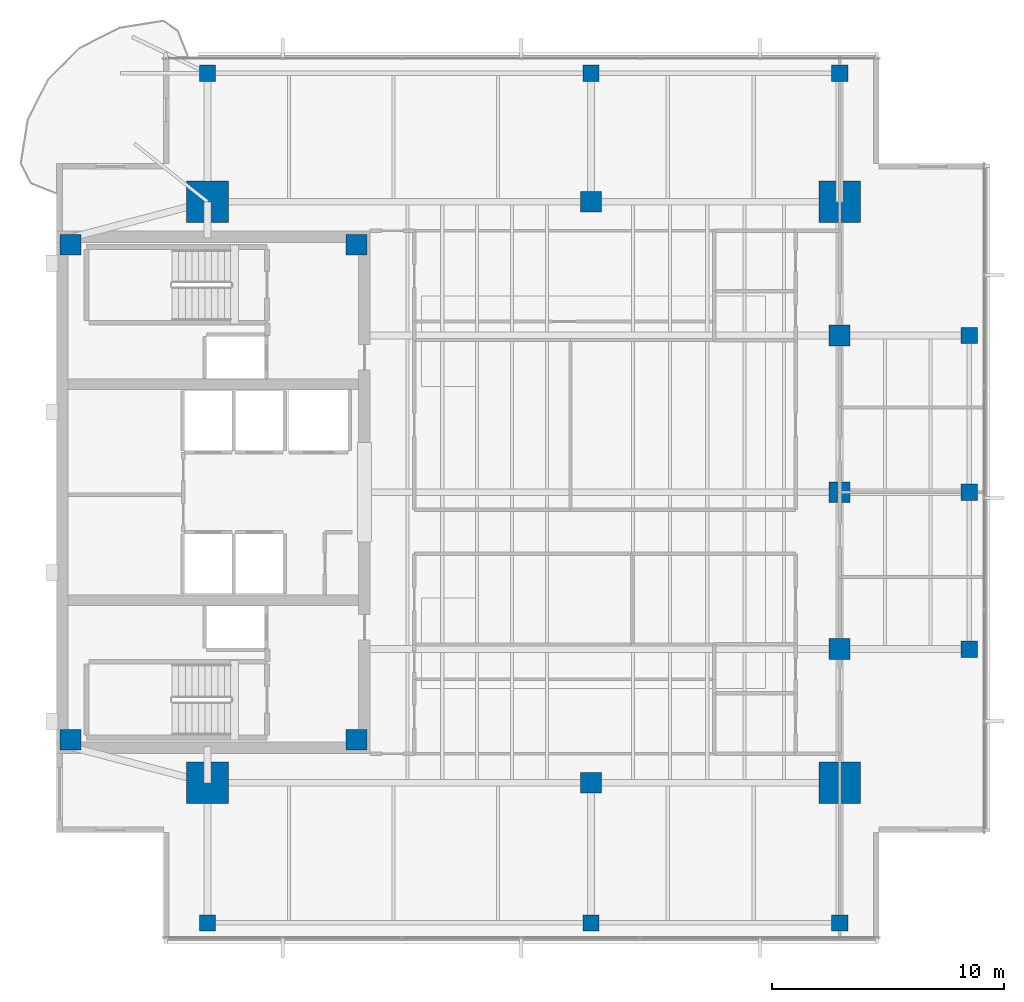
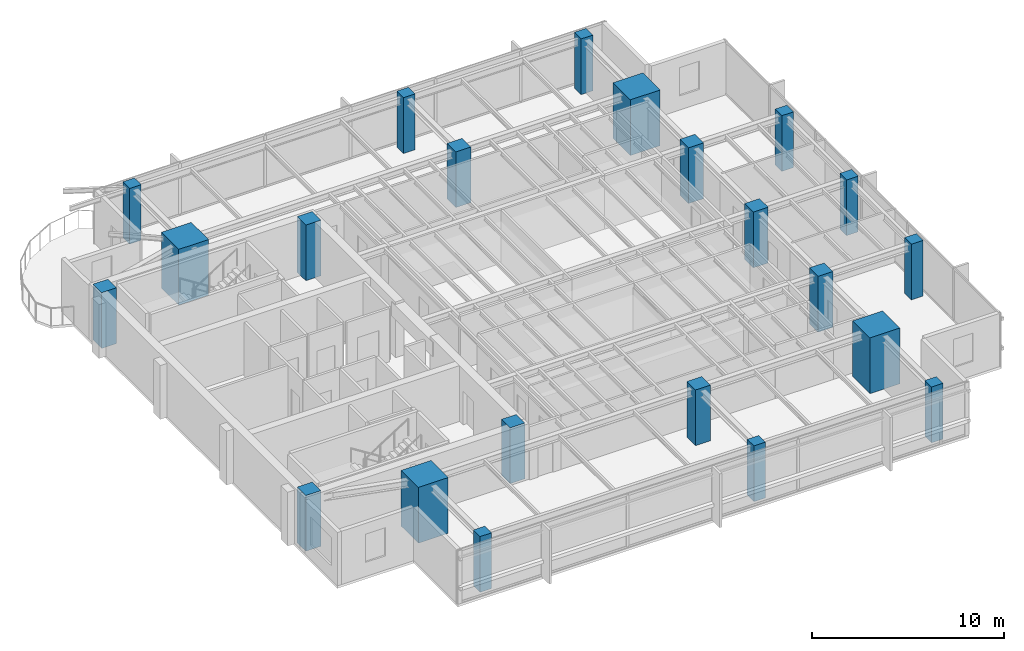
# One storey, part 1 of 14: 22 columns.
"""IFC4 building model written with IfcOpenShell, lengths in metres."""

import ifcopenshell
import ifcopenshell.guid

model = None  # the IFC model being written
_history = None  # IfcOwnerHistory: only IFC2X3 demands one
_inside = {}  # id of a spatial element -> (the spatial element, [elements in it])
_under = {}  # id of a project, library or spatial element -> (it, [spatial elements below it])
_declared = {}  # id of a project -> (the project, [libraries it declares])
_typed = {}  # id of a type object -> (the type object, [elements of that type])
_made_of = {}  # id of a material, layer set ... -> (it, [elements and type objects made of it])


def new_model(schema):
    """Start an empty IFC model of exactly this schema.

    Asked for "IFC4X3", IfcOpenShell would pick the latest addendum, in which some entities
    have other attributes; the version numbers below select the first issue.
    IFC2X3 requires an IfcOwnerHistory on every rooted entity: one is made here for all.
    """
    global model, _history
    if schema == "IFC4X3":
        model = ifcopenshell.file(schema_version=(4, 3, 0, 0))
    else:
        model = ifcopenshell.file(schema=schema)
    _inside.clear()
    _under.clear()
    _declared.clear()
    _typed.clear()
    _made_of.clear()
    _history = None
    if model.schema == "IFC2X3":
        org = make("IfcOrganization", Name="unknown")
        user = make(
            "IfcPersonAndOrganization",
            ThePerson=make("IfcPerson", FamilyName="unknown"),
            TheOrganization=org,
        )
        app = make(
            "IfcApplication",
            ApplicationDeveloper=org,
            Version="unknown",
            ApplicationFullName="unknown",
            ApplicationIdentifier="unknown",
        )
        _history = make(
            "IfcOwnerHistory",
            OwningUser=user,
            OwningApplication=app,
            ChangeAction="ADDED",
            CreationDate=0,
        )
    return model


def make(cls, **values):
    """One entity of the class cls with the attributes given. An attribute that is None is left unset."""
    return model.create_entity(
        cls, **{name: value for name, value in values.items() if value is not None}
    )


def rooted(cls, **values):
    """An entity with a GlobalId (a new one), such as an element, a storey or a relation."""
    return make(cls, GlobalId=ifcopenshell.guid.new(), OwnerHistory=_history, **values)


def si_unit(unit_type, name, prefix=None):
    """IfcSIUnit, for example si_unit("LENGTHUNIT", "METRE", prefix="MILLI")."""
    return make("IfcSIUnit", UnitType=unit_type, Prefix=prefix, Name=name)


def assignment(units):
    """IfcUnitAssignment: the units of a project."""
    return None if units is None else make("IfcUnitAssignment", Units=units)


def point(xyz):
    """IfcCartesianPoint."""
    return None if xyz is None else make("IfcCartesianPoint", Coordinates=xyz)


def direction(xyz):
    """IfcDirection."""
    return None if xyz is None else make("IfcDirection", DirectionRatios=xyz)


def frame(location, z_axis=None, x_axis=None):
    """IfcAxis2Placement3D, a coordinate frame: its origin and axes. An axis left out is left unset."""
    return make(
        "IfcAxis2Placement3D",
        Location=point(location),
        Axis=direction(z_axis),
        RefDirection=direction(x_axis),
    )


def frame_2d(location, x_axis=None):
    """IfcAxis2Placement2D, a coordinate frame in the plane: its origin and x axis."""
    return make(
        "IfcAxis2Placement2D", Location=point(location), RefDirection=direction(x_axis)
    )


def origin():
    """The frame at (0, 0, 0) with its axes left unset."""
    return frame((0.0, 0.0, 0.0))


def origin_2d():
    """The frame at (0, 0) in the plane with its x axis left unset."""
    return frame_2d((0.0, 0.0))


def place(relative_to, where):
    """IfcLocalPlacement: puts the frame where relative to a parent placement (None: the world)."""
    return make(
        "IfcLocalPlacement", PlacementRelTo=relative_to, RelativePlacement=where
    )


def context(
    kind, dimensions, precision=None, world=None, true_north=None, identifier=None
):
    """IfcGeometricRepresentationContext, for example the 3D "Model" context."""
    return make(
        "IfcGeometricRepresentationContext",
        ContextIdentifier=identifier,
        ContextType=kind,
        CoordinateSpaceDimension=dimensions,
        Precision=precision,
        WorldCoordinateSystem=world,
        TrueNorth=true_north,
    )


def subcontext(parent, identifier, kind, view, scale=None):
    """IfcGeometricRepresentationSubContext, for example "Body" below "Model"."""
    return make(
        "IfcGeometricRepresentationSubContext",
        ContextIdentifier=identifier,
        ContextType=kind,
        ParentContext=parent,
        TargetScale=scale,
        TargetView=view,
    )


def project(units=None, contexts=None):
    """IfcProject with its units and contexts."""
    return rooted(
        "IfcProject",
        Name="project",
        RepresentationContexts=contexts,
        UnitsInContext=assignment(units),
    )


def spatial(cls, under=None, at=None, **own):
    """A site, building, storey or space (cls), placed at a placement, below another one or the project."""
    s = rooted(cls, ObjectPlacement=at, **own)
    if under is not None:
        _under.setdefault(under.id(), (under, []))[1].append(s)
    return s


def profile(cls, at=None, kind="AREA", **sizes):
    """A parametric profile (cls). Its sizes go by their IFC names, for example OverallWidth=200.0."""
    return make(cls, ProfileType=kind, Position=at, **sizes)


def rectangle(**sizes):
    """IfcRectangleProfileDef."""
    return profile("IfcRectangleProfileDef", **sizes)


def extrude(swept, where, along, depth):
    """IfcExtrudedAreaSolid: the profile swept, set in the frame where, extruded along a direction by depth."""
    return make(
        "IfcExtrudedAreaSolid",
        SweptArea=swept,
        Position=where,
        ExtrudedDirection=direction(along),
        Depth=depth,
    )


def shape(context_of_items, identifier, shape_type, items):
    """IfcShapeRepresentation: the items that make up one representation, for example the "Body"."""
    return make(
        "IfcShapeRepresentation",
        ContextOfItems=context_of_items,
        RepresentationIdentifier=identifier,
        RepresentationType=shape_type,
        Items=items,
    )


def material(Name=None, Category=None):
    """IfcMaterial."""
    return make("IfcMaterial", Name=Name, Category=Category)


def material_profile(
    of_material, cross_section, Name=None, Category=None, Priority=None
):
    """IfcMaterialProfile: a cross section and its material."""
    return make(
        "IfcMaterialProfile",
        Name=Name,
        Material=of_material,
        Profile=cross_section,
        Priority=Priority,
        Category=Category,
    )


def profile_set(profiles, Name=None, composite=None):
    """IfcMaterialProfileSet."""
    return make(
        "IfcMaterialProfileSet",
        Name=Name,
        MaterialProfiles=profiles,
        CompositeProfile=composite,
    )


def made_of(thing, what):
    """Note that an element or type object is made of a material, layer set ...; save() writes the relation."""
    if what is not None:
        _made_of.setdefault(what.id(), (what, []))[1].append(thing)
    return thing


def type_object(cls, material=None, **own):
    """A type object (cls), such as IfcWallType, which elements share."""
    return made_of(rooted(cls, **own), material)


def element(
    cls,
    number,
    at=None,
    inside=None,
    cuts=None,
    type_object=None,
    material=None,
    context=None,
    identifier="Body",
    shape_type=None,
    held_by="IfcProductDefinitionShape",
    body=None,
    shapes=None,
    **own,
):
    """One element of the class cls, such as IfcWall. Its Tag is "e" and its number.

    at: its placement. inside: the storey or other place that contains it. cuts: it is an
    opening in that element (IfcRelVoidsElement). A single representation is given by context,
    identifier, shape_type and body (its items); several are given by shapes. held_by: the class
    of the entity that holds the representations. save() writes the other relations.
    """
    e = rooted(cls, Tag="e%d" % number, ObjectPlacement=at, **own)
    if body is not None:
        shapes = [shape(context, identifier, shape_type, body)]
    if shapes is not None:
        e.Representation = make(held_by, Representations=shapes)
    if inside is not None:
        _inside.setdefault(inside.id(), (inside, []))[1].append(e)
    if cuts is not None:
        rooted(
            "IfcRelVoidsElement", RelatingBuildingElement=cuts, RelatedOpeningElement=e
        )
    if type_object is not None:
        _typed.setdefault(type_object.id(), (type_object, []))[1].append(e)
    return made_of(e, material)


def aggregate(whole, parts):
    """IfcRelAggregates: a whole, such as a stair, and the parts it consists of."""
    return rooted("IfcRelAggregates", RelatingObject=whole, RelatedObjects=parts)


def save(model, path):
    """Write the relations noted so far, then the file.

    IfcRelAggregates (storeys below a building ...), IfcRelContainedInSpatialStructure (elements
    in a storey), IfcRelDefinesByType, IfcRelAssociatesMaterial and IfcRelDeclares: one each for
    every whole, place, type object, material and project.
    """
    for whole, parts in _under.values():
        aggregate(whole, parts)
    for where, things in _inside.values():
        rooted(
            "IfcRelContainedInSpatialStructure",
            RelatedElements=things,
            RelatingStructure=where,
        )
    for kind, things in _typed.values():
        rooted("IfcRelDefinesByType", RelatedObjects=things, RelatingType=kind)
    for what, things in _made_of.values():
        rooted("IfcRelAssociatesMaterial", RelatedObjects=things, RelatingMaterial=what)
    for by, libraries in _declared.values():
        rooted("IfcRelDeclares", RelatingContext=by, RelatedDefinitions=libraries)
    model.write(path)


model = new_model("IFC4")

# Units and contexts
model_context = context("Model", 3, precision=1e-05, world=origin(), true_north=direction((0.0, 1.0)))
body_context = subcontext(model_context, "Body", "Model", "MODEL_VIEW")
ifc_project = project(units=[si_unit("LENGTHUNIT", "METRE"), si_unit("AREAUNIT", "SQUARE_METRE"), si_unit("VOLUMEUNIT", "CUBIC_METRE"), si_unit("PLANEANGLEUNIT", "RADIAN"), si_unit("MASSUNIT", "GRAM", prefix="KILO")], contexts=[model_context])

# Site, building, storey
site_placement = place(None, origin())
site = spatial("IfcSite", under=ifc_project, at=site_placement, CompositionType="ELEMENT")
building_placement = place(site_placement, origin())
building = spatial("IfcBuilding", under=site, at=building_placement, Name="Kinhvarn Gate Tower", CompositionType="ELEMENT")
storey_placement = place(building_placement, frame((0.0, 0.0, 252.800048828125)))
storey = spatial("IfcBuildingStorey", under=building, at=storey_placement, Name="L67", CompositionType="ELEMENT", Elevation=252.800048828125)

# Columns
ifc_material_1 = material(Name="Concrete C60/75", Category="concrete")
ifc_material_profile_1 = material_profile(ifc_material_1, rectangle(XDim=1.800048828125, YDim=1.800048828125, at=origin_2d()), Name="RC 1800x1800")
ifc_profile_set_1 = profile_set([ifc_material_profile_1], Name="Concrete C60/75")
column_type_1 = type_object("IfcColumnType", Name="COL-MC-1800", PredefinedType="COLUMN", material=ifc_profile_set_1)
for number, where, z_axis, x_axis, name in (
    (1, (11.0, 12.75, 0.0), (0.0, 0.0, 1.0), (1.0, 0.0, 0.0), "Column MC1-L67 (MC-18)"),
    (2, (11.0, 37.75, 0.0), (0.0, 0.0, 1.0), (1.0, 0.0, 0.0), "Column MC4-L67 (MC-18)"),
    (3, (38.199951171875, 12.75, 0.0), (0.0, 0.0, 1.0), (1.0, 0.0, 0.0), "Column MC2-L67 (MC-18)"),
    (4, (38.199951171875, 37.75, 0.0), (0.0, 0.0, 1.0), (1.0, 0.0, 0.0), "Column MC3-L67 (MC-18)"),
):
    element("IfcColumn", number, at=place(storey_placement, frame(where, z_axis=z_axis, x_axis=x_axis)), inside=storey, type_object=column_type_1, Name=name, PredefinedType="COLUMN", context=body_context, shape_type="SweptSolid", body=[
        extrude(rectangle(XDim=1.800048828125, YDim=1.800048828125, at=origin_2d()), origin(), (0.0, 0.0, 1.0), 3.550048828125),
    ])
ifc_material_2 = material(Name="Concrete C50/60", Category="concrete")
ifc_material_profile_2 = material_profile(ifc_material_2, rectangle(XDim=0.699951171875, YDim=0.699951171875, at=origin_2d()), Name="RC 700x700")
ifc_profile_set_2 = profile_set([ifc_material_profile_2], Name="Concrete C50/60")
column_type_2 = type_object("IfcColumnType", Name="COL-RC-700", PredefinedType="COLUMN", material=ifc_profile_set_2)
for number, where, z_axis, x_axis, name in (
    (5, (43.780029296875, 18.5, 0.0), (0.0, 0.0, 1.0), (1.0, 0.0, 0.0), "Column CE-1-L67 (C-070)"),
    (6, (43.780029296875, 25.25, 0.0), (0.0, 0.0, 1.0), (1.0, 0.0, 0.0), "Column CE-2-L67 (C-070)"),
    (7, (43.780029296875, 32.0, 0.0), (0.0, 0.0, 1.0), (1.0, 0.0, 0.0), "Column CE-3-L67 (C-070)"),
    (8, (11.0, 6.719970703125, 0.0), (0.0, 0.0, 1.0), (1.0, 0.0, 0.0), "Column CS-0-L67 (C-070)"),
    (9, (27.5, 6.719970703125, 0.0), (0.0, 0.0, 1.0), (1.0, 0.0, 0.0), "Column CS-1-L67 (C-070)"),
    (10, (38.199951171875, 6.719970703125, 0.0), (0.0, 0.0, 1.0), (1.0, 0.0, 0.0), "Column CS-2-L67 (C-070)"),
    (11, (11.0, 43.280029296875, 0.0), (0.0, 0.0, 1.0), (1.0, 0.0, 0.0), "Column CN-0-L67 (C-070)"),
    (12, (27.5, 43.280029296875, 0.0), (0.0, 0.0, 1.0), (1.0, 0.0, 0.0), "Column CN-1-L67 (C-070)"),
    (13, (38.199951171875, 43.280029296875, 0.0), (0.0, 0.0, 1.0), (1.0, 0.0, 0.0), "Column CN-2-L67 (C-070)"),
):
    element("IfcColumn", number, at=place(storey_placement, frame(where, z_axis=z_axis, x_axis=x_axis)), inside=storey, type_object=column_type_2, Name=name, PredefinedType="COLUMN", context=body_context, shape_type="SweptSolid", body=[
        extrude(rectangle(XDim=0.699951171875, YDim=0.699951171875, at=origin_2d()), origin(), (0.0, 0.0, 1.0), 3.550048828125),
    ])
ifc_material_profile_3 = material_profile(ifc_material_1, rectangle(XDim=0.89990234375, YDim=0.89990234375, at=origin_2d()), Name="RC 900x900")
ifc_profile_set_3 = profile_set([ifc_material_profile_3], Name="Concrete C60/75")
column_type_3 = type_object("IfcColumnType", Name="COL-RC-900", PredefinedType="COLUMN", material=ifc_profile_set_3)
for number, where, z_axis, x_axis, name in (
    (14, (27.5, 12.75, 0.0), (0.0, 0.0, 1.0), (1.0, 0.0, 0.0), "Column SP27-S-L67 (C-090)"),
    (15, (27.5, 37.75, 0.0), (0.0, 0.0, 1.0), (1.0, 0.0, 0.0), "Column SP27-N-L67 (C-090)"),
    (16, (38.199951171875, 18.5, 0.0), (0.0, 0.0, 1.0), (1.0, 0.0, 0.0), "Column SP38-E1-L67 (C-090)"),
    (17, (38.199951171875, 25.25, 0.0), (0.0, 0.0, 1.0), (1.0, 0.0, 0.0), "Column SP38-E2-L67 (C-090)"),
    (18, (38.199951171875, 32.0, 0.0), (0.0, 0.0, 1.0), (1.0, 0.0, 0.0), "Column SP38-E3-L67 (C-090)"),
):
    element("IfcColumn", number, at=place(storey_placement, frame(where, z_axis=z_axis, x_axis=x_axis)), inside=storey, type_object=column_type_3, Name=name, PredefinedType="COLUMN", context=body_context, shape_type="SweptSolid", body=[
        extrude(rectangle(XDim=0.89990234375, YDim=0.89990234375, at=origin_2d()), origin(), (0.0, 0.0, 1.0), 3.550048828125),
    ])
ifc_material_profile_4 = material_profile(ifc_material_2, rectangle(XDim=0.89990234375, YDim=0.89990234375, at=origin_2d()), Name="RC 900x900")
ifc_profile_set_4 = profile_set([ifc_material_profile_4], Name="Concrete C50/60")
column_type_4 = type_object("IfcColumnType", Name="PIL-RC-900", PredefinedType="PILASTER", material=ifc_profile_set_4)
for number, where, z_axis, x_axis, name in (
    (19, (5.10009765625, 14.60009765625, 0.0), (0.0, 0.0, 1.0), (1.0, 0.0, 0.0), "Column CC-SW-L67 (CP-090)"),
    (20, (5.10009765625, 35.89990234375, 0.0), (0.0, 0.0, 1.0), (1.0, 0.0, 0.0), "Column CC-NW-L67 (CP-090)"),
    (21, (17.39990234375, 14.60009765625, 0.0), (0.0, 0.0, 1.0), (1.0, 0.0, 0.0), "Column CC-SE-L67 (CP-090)"),
    (22, (17.39990234375, 35.89990234375, 0.0), (0.0, 0.0, 1.0), (1.0, 0.0, 0.0), "Column CC-NE-L67 (CP-090)"),
):
    element("IfcColumn", number, at=place(storey_placement, frame(where, z_axis=z_axis, x_axis=x_axis)), inside=storey, type_object=column_type_4, Name=name, PredefinedType="PILASTER", context=body_context, shape_type="SweptSolid", body=[
        extrude(rectangle(XDim=0.89990234375, YDim=0.89990234375, at=origin_2d()), origin(), (0.0, 0.0, 1.0), 3.550048828125),
    ])

save(model, "model.ifc")
